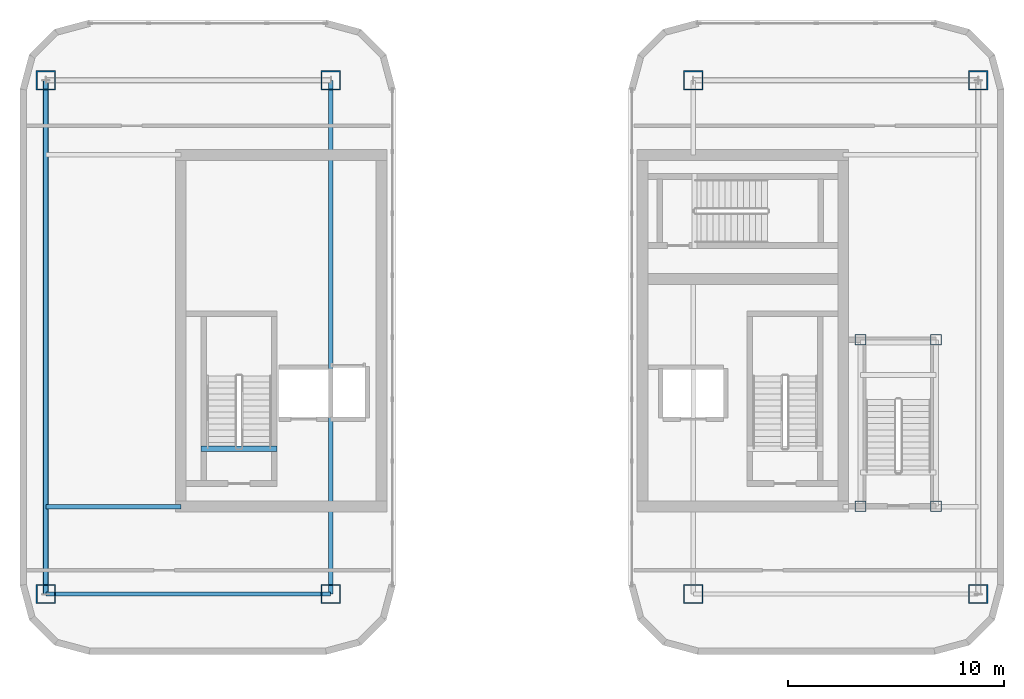
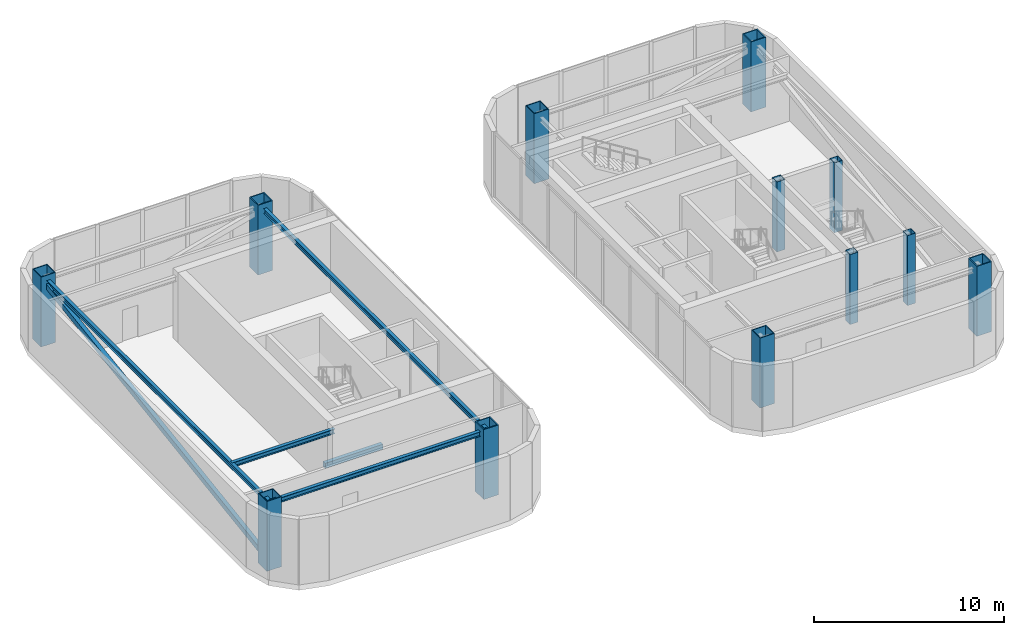
# One storey, part 1 of 14: 12 columns, 5 beams, 1 member.
"""IFC4 building model written with IfcOpenShell, lengths in metres."""

from ifc_helpers import new_model, si_unit, direction, frame, origin, origin_2d, place, context, subcontext, project, spatial, rectangle, hollow_rectangle, i_section, extrude, material, material_profile, profile_set, type_object, element, save


model = new_model("IFC4")

# Units and contexts
model_context = context("Model", 3, precision=1e-05, world=origin(), true_north=direction((0.0, 1.0)))
body_context = subcontext(model_context, "Body", "Model", "MODEL_VIEW")
ifc_project = project(units=[si_unit("LENGTHUNIT", "METRE"), si_unit("AREAUNIT", "SQUARE_METRE"), si_unit("VOLUMEUNIT", "CUBIC_METRE"), si_unit("PLANEANGLEUNIT", "RADIAN"), si_unit("MASSUNIT", "GRAM", prefix="KILO")], contexts=[model_context])

# Site, building, storey
site_placement = place(None, origin())
site = spatial("IfcSite", under=ifc_project, at=site_placement, CompositionType="ELEMENT")
building_placement = place(site_placement, origin())
building = spatial("IfcBuilding", under=site, at=building_placement, Name="Kiyonajd Concourse Tower", CompositionType="ELEMENT")
storey_placement = place(building_placement, frame((0.0, 0.0, 359.39990234375)))
storey = spatial("IfcBuildingStorey", under=building, at=storey_placement, Name="L90", CompositionType="ELEMENT", Elevation=359.39990234375)

# Columns
ifc_material_1 = material(Name="Steel ASTM A572 Grade 50", Category="steel")
ifc_material_profile_1 = material_profile(ifc_material_1, hollow_rectangle(XDim=0.89990234375, YDim=0.89990234375, WallThickness=0.054931640625, at=origin_2d()), Name="BOX-900x900x55")
ifc_profile_set_1 = profile_set([ifc_material_profile_1], Name="Steel ASTM A572 Grade 50")
column_type_1 = type_object("IfcColumnType", Name="CL-CRN-BOX", PredefinedType="COLUMN", material=ifc_profile_set_1)
for number, where, z_axis, x_axis, name in (
    (1, (26.39990234375, 23.800048828125, 0.0), (0.0, 0.0, 1.0), (1.0, 0.0, 0.0), "L90 West Crown Frame Column"),
    (2, (39.60009765625, 23.800048828125, 0.0), (0.0, 0.0, 1.0), (1.0, 0.0, 0.0), "L90 West Crown Frame Column"),
    (3, (39.60009765625, 47.60009765625, 0.0), (0.0, 0.0, 1.0), (1.0, 0.0, 0.0), "L90 West Crown Frame Column"),
    (4, (26.39990234375, 47.60009765625, 0.0), (0.0, 0.0, 1.0), (1.0, 0.0, 0.0), "L90 West Crown Frame Column"),
    (5, (56.39990234375, 23.800048828125, 0.0), (0.0, 0.0, 1.0), (1.0, 0.0, 0.0), "L90 East Crown Frame Column"),
    (6, (69.60009765625, 23.800048828125, 0.0), (0.0, 0.0, 1.0), (1.0, 0.0, 0.0), "L90 East Crown Frame Column"),
    (7, (69.60009765625, 47.60009765625, 0.0), (0.0, 0.0, 1.0), (1.0, 0.0, 0.0), "L90 East Crown Frame Column"),
    (8, (56.39990234375, 47.60009765625, 0.0), (0.0, 0.0, 1.0), (1.0, 0.0, 0.0), "L90 East Crown Frame Column"),
):
    element("IfcColumn", number, at=place(storey_placement, frame(where, z_axis=z_axis, x_axis=x_axis)), inside=storey, type_object=column_type_1, Name=name, PredefinedType="COLUMN", context=body_context, shape_type="SweptSolid", body=[
        extrude(hollow_rectangle(XDim=0.89990234375, YDim=0.89990234375, WallThickness=0.054931640625, at=origin_2d()), origin(), (0.0, 0.0, 1.0), 4.5),
    ])
ifc_material_profile_2 = material_profile(ifc_material_1, hollow_rectangle(XDim=0.5, YDim=0.5, WallThickness=0.02490234375, at=origin_2d()), Name="HSS-500x500x25")
ifc_profile_set_2 = profile_set([ifc_material_profile_2], Name="Steel ASTM A572 Grade 50")
column_type_2 = type_object("IfcColumnType", Name="CL-PIL-600", PredefinedType="PILASTER", material=ifc_profile_set_2)
for number, where, z_axis, x_axis, name in (
    (9, (64.14990234375, 27.8701171875, 0.0), (0.0, 0.0, 1.0), (1.0, 0.0, 0.0), "L90 Crown Stair Support Column"),
    (10, (67.64990234375, 27.8701171875, 0.0), (0.0, 0.0, 1.0), (1.0, 0.0, 0.0), "L90 Crown Stair Support Column"),
    (11, (64.14990234375, 35.580078125, 0.0), (0.0, 0.0, 1.0), (1.0, 0.0, 0.0), "L90 Crown Stair Support Column"),
    (12, (67.64990234375, 35.580078125, 0.0), (0.0, 0.0, 1.0), (1.0, 0.0, 0.0), "L90 Crown Stair Support Column"),
):
    element("IfcColumn", number, at=place(storey_placement, frame(where, z_axis=z_axis, x_axis=x_axis)), inside=storey, type_object=column_type_2, Name=name, PredefinedType="PILASTER", context=body_context, shape_type="SweptSolid", body=[
        extrude(hollow_rectangle(XDim=0.5, YDim=0.5, WallThickness=0.02490234375, at=origin_2d()), origin(), (0.0, 0.0, 1.0), 4.5),
    ])

# Beams
ifc_material_2 = material(Name="Steel ASTM A992 Grade 50", Category="steel")
ifc_material_profile_3 = material_profile(ifc_material_2, i_section(OverallWidth=0.2041015625, OverallDepth=0.305908203125, WebThickness=0.008544921875, FlangeThickness=0.0146484375, at=origin_2d()), Name="W310X67")
ifc_profile_set_3 = profile_set([ifc_material_profile_3], Name="Steel ASTM A992 Grade 50")
beam_type_1 = type_object("IfcBeamType", Name="BM-CRN-310", PredefinedType="BEAM", material=ifc_profile_set_3)
beam_1_placement = place(storey_placement, frame((26.39990234375, 23.800048828125, 4.007080078125), z_axis=(1.0, 0.0, 0.0), x_axis=(0.0, 1.0, 0.0)))
element("IfcBeam", 13, at=beam_1_placement, inside=storey, type_object=beam_type_1, Name="L90 W Crown Ring Beam 1", PredefinedType="BEAM", context=body_context, shape_type="SweptSolid", body=[
    extrude(i_section(OverallWidth=0.2041015625, OverallDepth=0.305908203125, WebThickness=0.008544921875, FlangeThickness=0.0146484375, at=origin_2d()), origin(), (0.0, 0.0, 1.0), 13.2001953125),
])
for number, where, z_axis, x_axis, name in (
    (14, (39.60009765625, 23.800048828125, 4.007080078125), (0.0, 1.0, 0.0), (-1.0, 0.0, 0.0), "L90 W Crown Ring Beam 2"),
    (15, (26.39990234375, 47.60009765625, 4.007080078125), (0.0, -1.0, 0.0), (1.0, 0.0, 0.0), "L90 W Crown Ring Beam 4"),
):
    element("IfcBeam", number, at=place(storey_placement, frame(where, z_axis=z_axis, x_axis=x_axis)), inside=storey, type_object=beam_type_1, Name=name, PredefinedType="BEAM", context=body_context, shape_type="SweptSolid", body=[
        extrude(i_section(OverallWidth=0.2041015625, OverallDepth=0.305908203125, WebThickness=0.008544921875, FlangeThickness=0.0146484375, at=origin_2d()), origin(), (0.0, 0.0, 1.0), 23.800048828125),
    ])
beam_2_placement = place(storey_placement, frame((26.39990234375, 27.85009765625, 4.007080078125), z_axis=(1.0, 0.0, 0.0), x_axis=(0.0, 1.0, 0.0)))
element("IfcBeam", 16, at=beam_2_placement, inside=storey, type_object=beam_type_1, Name="L90 W Crown Core Tie South", PredefinedType="BEAM", context=body_context, shape_type="SweptSolid", body=[
    extrude(i_section(OverallWidth=0.2041015625, OverallDepth=0.305908203125, WebThickness=0.008544921875, FlangeThickness=0.0146484375, at=origin_2d()), origin(), (0.0, 0.0, 1.0), 6.25),
])
ifc_material_3 = material(Name="Concrete C50/60", Category="concrete")
ifc_material_profile_4 = material_profile(ifc_material_3, rectangle(XDim=0.239990234375, YDim=0.320068359375, at=origin_2d()), Name="RCBM-240x320")
ifc_profile_set_4 = profile_set([ifc_material_profile_4], Name="Concrete C50/60")
beam_type_2 = type_object("IfcBeamType", Name="BM-LNT-250", PredefinedType="LINTEL", material=ifc_profile_set_4)
beam_3_placement = place(storey_placement, frame((33.590087890625, 30.530029296875, -0.159912109375), z_axis=(1.0, 0.0, 0.0), x_axis=(0.0, 1.0, 0.0)))
element("IfcBeam", 17, at=beam_3_placement, inside=storey, type_object=beam_type_2, Name="L90 Stair ST1 Threshold Support Beam", PredefinedType="LINTEL", context=body_context, shape_type="SweptSolid", body=[
    extrude(rectangle(XDim=0.239990234375, YDim=0.320068359375, at=origin_2d()), origin(), (0.0, 0.0, 1.0), 3.52001953125),
])

# Member
ifc_material_4 = material(Name="Steel ASTM A500 Grade C", Category="steel")
ifc_material_profile_5 = material_profile(ifc_material_4, hollow_rectangle(XDim=0.25, YDim=0.35009765625, WallThickness=0.01611328125, at=origin_2d()), Name="HSS-350x250x16")
ifc_profile_set_5 = profile_set([ifc_material_profile_5], Name="Steel ASTM A500 Grade C")
member_type = type_object("IfcMemberType", Name="MB-CRN-BRC", PredefinedType="BRACE", material=ifc_profile_set_5)
member_placement = place(storey_placement, frame((26.39990234375, 23.800048828125, 0.300048828125), z_axis=(0.0, 0.989057694684, 0.147529239764), x_axis=(-1.0, 0.0, 0.0)))
element("IfcMember", 18, at=member_placement, inside=storey, type_object=member_type, Name="L90 W Crown Wind Brace 2", PredefinedType="BRACE", context=body_context, shape_type="SweptSolid", body=[
    extrude(hollow_rectangle(XDim=0.25, YDim=0.35009765625, WallThickness=0.01611328125, at=origin_2d()), origin(), (0.0, 0.0, 1.0), 24.0634765625),
])

save(model, "model.ifc")
